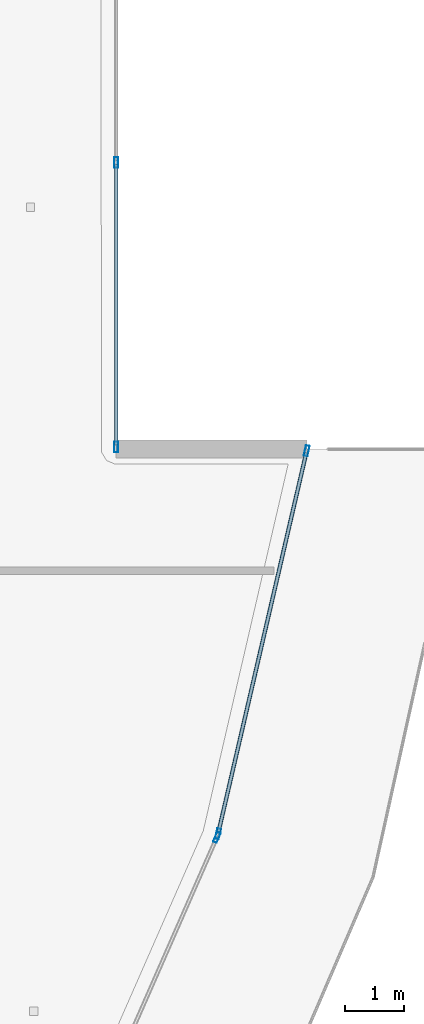
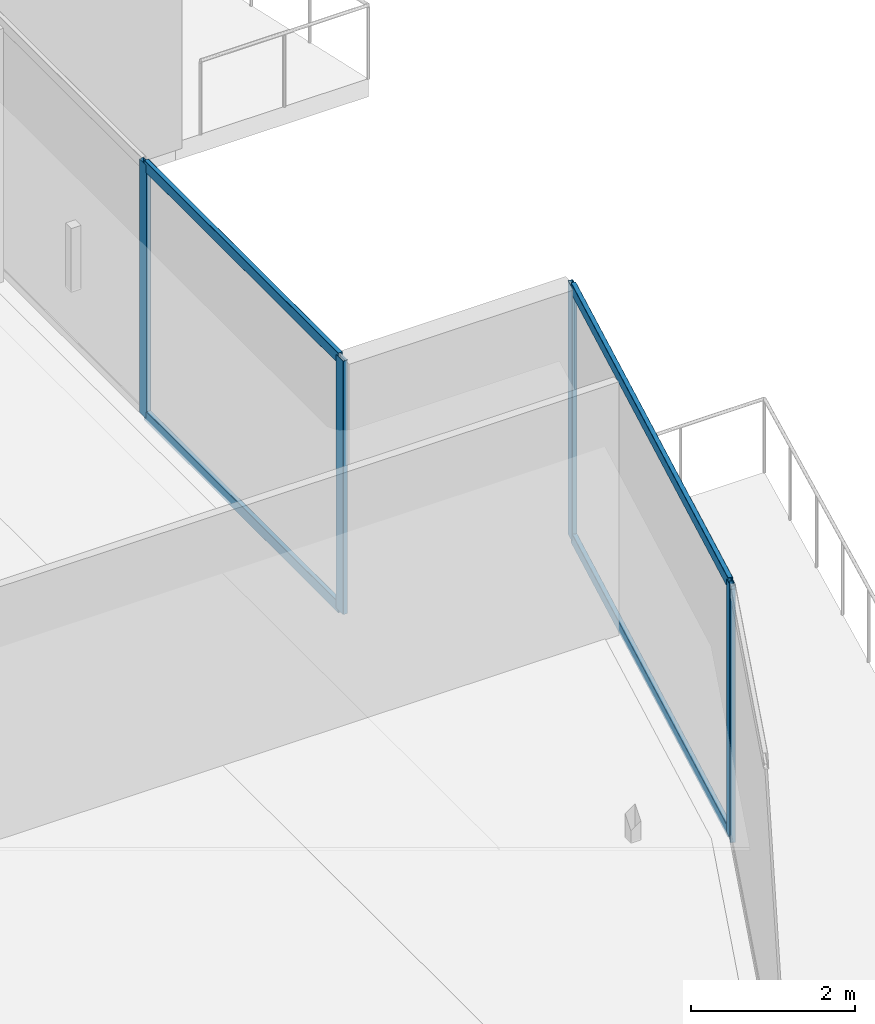
# One storey, part 11 of 38: 9 members, 3 elements without a shape of their own.
"""IFC4 building model written with IfcOpenShell, lengths in metres."""

from ifc_helpers import new_model, si_unit, direction, frame, origin, origin_2d, place, context, subcontext, project, spatial, hollow_rectangle, extrude, material, layer, layer_set, material_profile, profile_set, type_object, element, aggregate, save


model = new_model("IFC4")

# Units and contexts
model_context = context("Model", 3, precision=1e-05, world=origin(), true_north=direction((0.0, 1.0)))
body_context = subcontext(model_context, "Body", "Model", "MODEL_VIEW")
ifc_project = project(units=[si_unit("LENGTHUNIT", "METRE"), si_unit("AREAUNIT", "SQUARE_METRE"), si_unit("VOLUMEUNIT", "CUBIC_METRE"), si_unit("PLANEANGLEUNIT", "RADIAN"), si_unit("MASSUNIT", "GRAM", prefix="KILO")], contexts=[model_context])

# Site, building, storey
site_placement = place(None, origin())
site = spatial("IfcSite", under=ifc_project, at=site_placement, CompositionType="ELEMENT")
building_placement = place(site_placement, origin())
building = spatial("IfcBuilding", under=site, at=building_placement, Name="Qorvath Tower", CompositionType="ELEMENT")
storey_placement = place(building_placement, frame((0.0, 0.0, 146.25)))
storey = spatial("IfcBuildingStorey", under=building, at=storey_placement, Name="L33", CompositionType="ELEMENT", Elevation=146.25)

# Curtain wall, member
ifc_material_1 = material(Name="Anodised aluminium and triple low-E glass", Category="aluminium")
ifc_layer = layer(ifc_material_1, 0.179931640625)
ifc_layer_set = layer_set([ifc_layer], Name="CW-SYS-3")
curtain_wall_type = type_object("IfcCurtainWallType", Name="CW-SYS-3", PredefinedType="NOTDEFINED", material=ifc_layer_set)
curtain_wall_1_placement = place(storey_placement, origin())
curtain_wall_1 = element("IfcCurtainWall", 1, at=curtain_wall_1_placement, inside=storey, type_object=curtain_wall_type, Name="Curtain Wall CW-3 CW-T-L33-6.1", PredefinedType="NOTDEFINED")
ifc_material_2 = material(Name="Anodised aluminium 6063-T6", Category="aluminium")
ifc_material_profile_1 = material_profile(ifc_material_2, hollow_rectangle(XDim=0.06494140625, YDim=0.179931640625, WallThickness=0.00341796875, InnerFilletRadius=0.00341796875, OuterFilletRadius=0.007080078125, at=origin_2d()), Name="CWM 180x65")
ifc_profile_set_1 = profile_set([ifc_material_profile_1], Name="Anodised aluminium 6063-T6")
member_type_1 = type_object("IfcMemberType", Name="CWM-180", PredefinedType="MULLION", material=ifc_profile_set_1)
member_1_placement = place(storey_placement, frame((2.30224609375, -11.3984375, 0.0), z_axis=(0.0, 0.0, 1.0), x_axis=(-0.915703754985, 0.401853994762, 0.0)))
member_1 = element("IfcMember", 2, at=member_1_placement, type_object=member_type_1, Name="CW-3 mullion 2", PredefinedType="MULLION", context=body_context, shape_type="SweptSolid", body=[
    extrude(hollow_rectangle(XDim=0.06494140625, YDim=0.179931640625, WallThickness=0.00341796875, InnerFilletRadius=0.00341796875, OuterFilletRadius=0.007080078125, at=origin_2d()), origin(), (0.0, 0.0, 1.0), 3.780029296875),
])
aggregate(curtain_wall_1, [member_1])

# Curtain wall, members
curtain_wall_2_placement = place(storey_placement, origin())
curtain_wall_2 = element("IfcCurtainWall", 3, at=curtain_wall_2_placement, inside=storey, type_object=curtain_wall_type, Name="Curtain Wall CW-3 CW-T-L33-7.1", PredefinedType="NOTDEFINED")
member_2_placement = place(storey_placement, frame((2.32275390625, -11.337158203125, 0.0), z_axis=(0.0, 0.0, 1.0), x_axis=(-0.974237086813, 0.225526270485, 0.0)))
member_2 = element("IfcMember", 4, at=member_2_placement, type_object=member_type_1, Name="CW-3 mullion 1", PredefinedType="MULLION", context=body_context, shape_type="SweptSolid", body=[
    extrude(hollow_rectangle(XDim=0.06494140625, YDim=0.179931640625, WallThickness=0.00341796875, InnerFilletRadius=0.00341796875, OuterFilletRadius=0.007080078125, at=origin_2d()), origin(), (0.0, 0.0, 1.0), 3.780029296875),
])
member_3_placement = place(storey_placement, frame((3.81982421875, -4.8701171875, 0.0), z_axis=(0.0, 0.0, 1.0), x_axis=(-0.974237086813, 0.225526270485, 0.0)))
member_3 = element("IfcMember", 5, at=member_3_placement, type_object=member_type_1, Name="CW-3 mullion 2", PredefinedType="MULLION", context=body_context, shape_type="SweptSolid", body=[
    extrude(hollow_rectangle(XDim=0.06494140625, YDim=0.179931640625, WallThickness=0.00341796875, InnerFilletRadius=0.00341796875, OuterFilletRadius=0.007080078125, at=origin_2d()), origin(), (0.0, 0.0, 1.0), 3.780029296875),
])

curtain_wall_3_placement = place(storey_placement, origin())
curtain_wall_3 = element("IfcCurtainWall", 6, at=curtain_wall_3_placement, inside=storey, type_object=curtain_wall_type, Name="Curtain Wall CW-3 CW-T-L33-9.1", PredefinedType="NOTDEFINED")
member_4_placement = place(storey_placement, frame((0.6015625, -4.805908203125, 0.0), z_axis=(0.0, 0.0, 1.0), x_axis=(-1.0, 0.0, 0.0)))
member_4 = element("IfcMember", 7, at=member_4_placement, type_object=member_type_1, Name="CW-3 mullion 1", PredefinedType="MULLION", context=body_context, shape_type="SweptSolid", body=[
    extrude(hollow_rectangle(XDim=0.06494140625, YDim=0.179931640625, WallThickness=0.00341796875, InnerFilletRadius=0.00341796875, OuterFilletRadius=0.007080078125, at=origin_2d()), origin(), (0.0, 0.0, 1.0), 3.780029296875),
])
member_5_placement = place(storey_placement, frame((0.6015625, 0.0, 0.0), z_axis=(0.0, 0.0, 1.0), x_axis=(-1.0, 0.0, 0.0)))
member_5 = element("IfcMember", 8, at=member_5_placement, type_object=member_type_1, Name="CW-3 mullion 2", PredefinedType="MULLION", context=body_context, shape_type="SweptSolid", body=[
    extrude(hollow_rectangle(XDim=0.06494140625, YDim=0.179931640625, WallThickness=0.00341796875, InnerFilletRadius=0.00341796875, OuterFilletRadius=0.007080078125, at=origin_2d()), origin(), (0.0, 0.0, 1.0), 3.780029296875),
])

# Member
ifc_material_3 = material(Name="Anodised aluminium 6063-T6", Category="aluminium")
ifc_material_profile_2 = material_profile(ifc_material_3, hollow_rectangle(XDim=0.06494140625, YDim=0.159912109375, WallThickness=0.00341796875, InnerFilletRadius=0.00341796875, OuterFilletRadius=0.007080078125, at=origin_2d()), Name="CWT 160x65")
ifc_profile_set_2 = profile_set([ifc_material_profile_2], Name="Anodised aluminium 6063-T6")
member_type_2 = type_object("IfcMemberType", Name="CWT-160", PredefinedType="USERDEFINED", material=ifc_profile_set_2)
member_6_placement = place(storey_placement, frame((2.330078125, -11.305419921875, 0.032470703125), z_axis=(0.225526759575, 0.974236973593, 0.0), x_axis=(-0.974236973593, 0.225526759575, 0.0)))
member_6 = element("IfcMember", 9, at=member_6_placement, type_object=member_type_2, Name="CW-3 transom 1.1", ObjectType="TRANSOM", PredefinedType="USERDEFINED", context=body_context, shape_type="SweptSolid", body=[
    extrude(hollow_rectangle(XDim=0.06494140625, YDim=0.159912109375, WallThickness=0.00341796875, InnerFilletRadius=0.00341796875, OuterFilletRadius=0.007080078125, at=origin_2d()), origin(), (0.0, 0.0, 1.0), 6.5732421875),
])

member_7_placement = place(storey_placement, frame((2.330078125, -11.305419921875, 3.74755859375), z_axis=(0.225526759575, 0.974236973593, 0.0), x_axis=(-0.974236973593, 0.225526759575, 0.0)))
member_7 = element("IfcMember", 10, at=member_7_placement, type_object=member_type_2, Name="CW-3 transom 1.2", ObjectType="TRANSOM", PredefinedType="USERDEFINED", context=body_context, shape_type="SweptSolid", body=[
    extrude(hollow_rectangle(XDim=0.06494140625, YDim=0.159912109375, WallThickness=0.00341796875, InnerFilletRadius=0.00341796875, OuterFilletRadius=0.007080078125, at=origin_2d()), origin(), (0.0, 0.0, 1.0), 6.5732421875),
])

aggregate(curtain_wall_2, [member_2, member_3, member_6, member_7])

member_8_placement = place(storey_placement, frame((0.6015625, -4.7734375, 0.032470703125), z_axis=(0.0, 1.0, 0.0), x_axis=(-1.0, 0.0, 0.0)))
member_8 = element("IfcMember", 11, at=member_8_placement, type_object=member_type_2, Name="CW-3 transom 1.1", ObjectType="TRANSOM", PredefinedType="USERDEFINED", context=body_context, shape_type="SweptSolid", body=[
    extrude(hollow_rectangle(XDim=0.06494140625, YDim=0.159912109375, WallThickness=0.00341796875, InnerFilletRadius=0.00341796875, OuterFilletRadius=0.007080078125, at=origin_2d()), origin(), (0.0, 0.0, 1.0), 4.740966796875),
])

member_9_placement = place(storey_placement, frame((0.6015625, -4.7734375, 3.74755859375), z_axis=(0.0, 1.0, 0.0), x_axis=(-1.0, 0.0, 0.0)))
member_9 = element("IfcMember", 12, at=member_9_placement, type_object=member_type_2, Name="CW-3 transom 1.2", ObjectType="TRANSOM", PredefinedType="USERDEFINED", context=body_context, shape_type="SweptSolid", body=[
    extrude(hollow_rectangle(XDim=0.06494140625, YDim=0.159912109375, WallThickness=0.00341796875, InnerFilletRadius=0.00341796875, OuterFilletRadius=0.007080078125, at=origin_2d()), origin(), (0.0, 0.0, 1.0), 4.740966796875),
])

aggregate(curtain_wall_3, [member_4, member_5, member_8, member_9])

save(model, "model.ifc")
